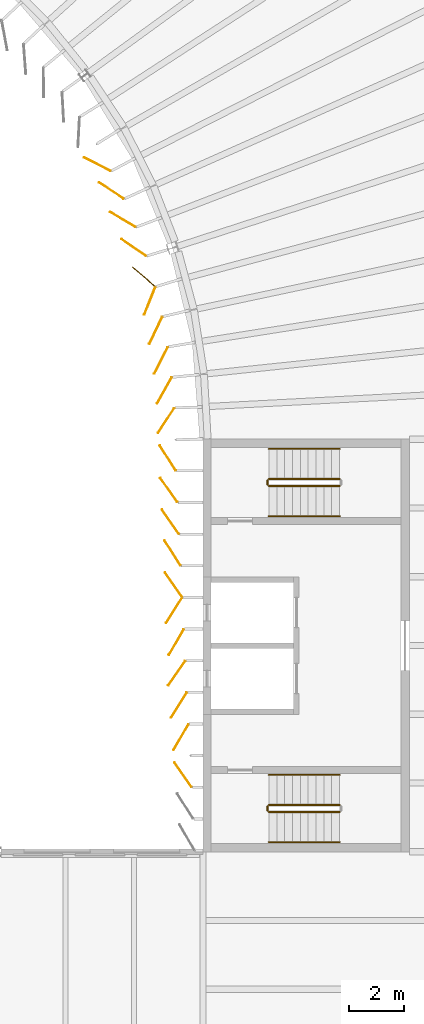
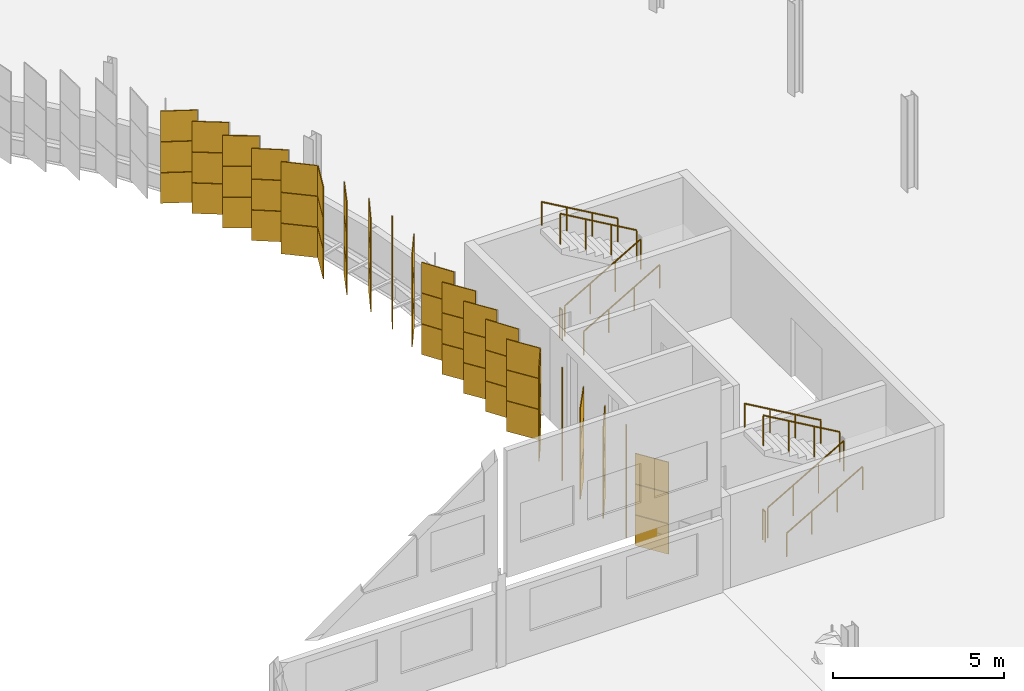
# One storey, part 191 of 199: 63 coverings, 10 railings.
"""IFC4 building model written with IfcOpenShell, lengths in metres."""

from ifc_helpers import new_model, si_unit, direction, frame, origin, origin_2d, place, context, subcontext, project, spatial, rectangle, circle, extrude, material, layer, layer_set, type_object, element, save


model = new_model("IFC4")

# Units and contexts
model_context = context("Model", 3, precision=1e-05, world=origin(), true_north=direction((0.0, 1.0)))
body_context = subcontext(model_context, "Body", "Model", "MODEL_VIEW")
ifc_project = project(units=[si_unit("LENGTHUNIT", "METRE"), si_unit("AREAUNIT", "SQUARE_METRE"), si_unit("VOLUMEUNIT", "CUBIC_METRE"), si_unit("PLANEANGLEUNIT", "RADIAN"), si_unit("MASSUNIT", "GRAM", prefix="KILO")], contexts=[model_context])

# Site, building, storey
site_placement = place(None, origin())
site = spatial("IfcSite", under=ifc_project, at=site_placement, CompositionType="ELEMENT")
building_placement = place(site_placement, origin())
building = spatial("IfcBuilding", under=site, at=building_placement, Name="Parallax Yard Mobility Hub", CompositionType="ELEMENT")
storey_placement = place(building_placement, frame((0.0, 0.0, 9.89990234375)))
storey = spatial("IfcBuildingStorey", under=building, at=storey_placement, Name="L03", CompositionType="ELEMENT", Elevation=9.89990234375)

# Coverings
ifc_material_1 = material(Name="Aluminium panel, champagne finish", Category="aluminium")
ifc_layer_1 = layer(ifc_material_1, 0.030029296875)
ifc_layer_set_1 = layer_set([ifc_layer_1], Name="Skin panel 30 degree turn, champagne finish")
covering_type_1 = type_object("IfcCoveringType", Name="Skin panel 30 degree turn, champagne finish", PredefinedType="CLADDING", material=ifc_layer_set_1)
for number, where, z_axis, x_axis, name in (
    (1, (194.029052734375, 82.61669921875, 0.02001953125), (0.0, 0.0, 1.0), (-0.5, -0.866025403784, 0.0), "Skin panel 30 bay 23.7 row 1 level L03"),
    (2, (194.20166015625, 79.166259765625, 0.02001953125), (0.0, 0.0, 1.0), (-0.5, -0.866025403784, 0.0), "Skin panel 30 bay 23.10 row 1 level L03"),
):
    element("IfcCovering", number, at=place(storey_placement, frame(where, z_axis=z_axis, x_axis=x_axis)), inside=storey, type_object=covering_type_1, Name=name, ObjectType="SCREEN", PredefinedType="CLADDING", context=body_context, shape_type="SweptSolid", body=[
        extrude(rectangle(XDim=1.080078125, YDim=0.030029296875, at=origin_2d()), origin(), (0.0, 0.0, 1.0), 1.080078125),
    ])
ifc_material_2 = material(Name="Aluminium panel, silver anodised", Category="aluminium")
ifc_layer_2 = layer(ifc_material_2, 0.030029296875)
ifc_layer_set_2 = layer_set([ifc_layer_2], Name="Skin panel 30 degree turn, silver anodised")
covering_type_2 = type_object("IfcCoveringType", Name="Skin panel 30 degree turn, silver anodised", PredefinedType="CLADDING", material=ifc_layer_set_2)
for number, where, z_axis, x_axis, name in (
    (3, (194.029052734375, 82.61669921875, 1.1201171875), (0.0, 0.0, 1.0), (-0.5, -0.866025403784, 0.0), "Skin panel 30 bay 23.7 row 2 level L03"),
    (4, (194.029052734375, 82.61669921875, 2.219970703125), (0.0, 0.0, 1.0), (-0.5, -0.866025403784, 0.0), "Skin panel 30 bay 23.7 row 3 level L03"),
    (5, (194.20166015625, 79.166259765625, 1.1201171875), (0.0, 0.0, 1.0), (-0.5, -0.866025403784, 0.0), "Skin panel 30 bay 23.10 row 2 level L03"),
    (6, (194.20166015625, 79.166259765625, 2.219970703125), (0.0, 0.0, 1.0), (-0.5, -0.866025403784, 0.0), "Skin panel 30 bay 23.10 row 3 level L03"),
):
    element("IfcCovering", number, at=place(storey_placement, frame(where, z_axis=z_axis, x_axis=x_axis)), inside=storey, type_object=covering_type_2, Name=name, ObjectType="SCREEN", PredefinedType="CLADDING", context=body_context, shape_type="SweptSolid", body=[
        extrude(rectangle(XDim=1.080078125, YDim=0.030029296875, at=origin_2d()), origin(), (0.0, 0.0, 1.0), 1.080078125),
    ])
ifc_layer_3 = layer(ifc_material_1, 0.030029296875)
ifc_layer_set_3 = layer_set([ifc_layer_3], Name="Skin panel 32.5 degree turn, champagne finish")
covering_type_3 = type_object("IfcCoveringType", Name="Skin panel 32.5 degree turn, champagne finish", PredefinedType="CLADDING", material=ifc_layer_set_3)
for number, where, z_axis, x_axis, name in (
    (7, (191.66650390625, 99.0400390625, 0.02001953125), (0.0, 0.0, 1.0), (-0.837480354951, 0.546467432763, 0.0), "Skin panel 32.5 bay 21.4 row 1 level L03"),
    (8, (192.851318359375, 95.905029296875, 0.02001953125), (0.0, 0.0, 1.0), (-0.758987281247, 0.651105449912, 0.0), "Skin panel 32.5 bay 22.1 row 1 level L03"),
    (9, (193.47314453125, 92.860595703125, 0.02001953125), (0.0, 0.0, 1.0), (-0.452045546177, -0.891994856589, 0.0), "Skin panel 32.5 bay 22.4 row 1 level L03"),
    (10, (193.720703125, 89.318603515625, 0.02001953125), (0.0, 0.0, 1.0), (-0.537299608347, 0.843391445813, 0.0), "Skin panel 32.5 bay 23.1 row 1 level L03"),
    (11, (193.893310546875, 85.8681640625, 0.02001953125), (0.0, 0.0, 1.0), (-0.537299608347, 0.843391445813, 0.0), "Skin panel 32.5 bay 23.4 row 1 level L03"),
    (12, (193.95068359375, 83.779541015625, 0.02001953125), (0.0, 0.0, 1.0), (-0.537299608347, -0.843391445813, 0.0), "Skin panel 32.5 bay 23.6 row 1 level L03"),
    (13, (194.123291015625, 80.328857421875, 0.02001953125), (0.0, 0.0, 1.0), (-0.537299608347, -0.843391445813, 0.0), "Skin panel 32.5 bay 23.9 row 1 level L03"),
):
    element("IfcCovering", number, at=place(storey_placement, frame(where, z_axis=z_axis, x_axis=x_axis)), inside=storey, type_object=covering_type_3, Name=name, ObjectType="SCREEN", PredefinedType="CLADDING", context=body_context, shape_type="SweptSolid", body=[
        extrude(rectangle(XDim=1.080078125, YDim=0.030029296875, at=origin_2d()), origin(), (0.0, 0.0, 1.0), 1.080078125),
    ])
ifc_layer_4 = layer(ifc_material_2, 0.030029296875)
ifc_layer_set_4 = layer_set([ifc_layer_4], Name="Skin panel 32.5 degree turn, silver anodised")
covering_type_4 = type_object("IfcCoveringType", Name="Skin panel 32.5 degree turn, silver anodised", PredefinedType="CLADDING", material=ifc_layer_set_4)
for number, where, z_axis, x_axis, name in (
    (14, (191.66650390625, 99.0400390625, 1.1201171875), (0.0, 0.0, 1.0), (-0.837480354951, 0.546467432763, 0.0), "Skin panel 32.5 bay 21.4 row 2 level L03"),
    (15, (191.66650390625, 99.0400390625, 2.219970703125), (0.0, 0.0, 1.0), (-0.837480354951, 0.546467432763, 0.0), "Skin panel 32.5 bay 21.4 row 3 level L03"),
    (16, (192.851318359375, 95.905029296875, 1.1201171875), (0.0, 0.0, 1.0), (-0.758987281247, 0.651105449912, 0.0), "Skin panel 32.5 bay 22.1 row 2 level L03"),
    (17, (192.851318359375, 95.905029296875, 2.219970703125), (0.0, 0.0, 1.0), (-0.758987281247, 0.651105449912, 0.0), "Skin panel 32.5 bay 22.1 row 3 level L03"),
    (18, (193.47314453125, 92.860595703125, 1.1201171875), (0.0, 0.0, 1.0), (-0.452045546177, -0.891994856589, 0.0), "Skin panel 32.5 bay 22.4 row 2 level L03"),
    (19, (193.47314453125, 92.860595703125, 2.219970703125), (0.0, 0.0, 1.0), (-0.452045546177, -0.891994856589, 0.0), "Skin panel 32.5 bay 22.4 row 3 level L03"),
    (20, (193.720703125, 89.318603515625, 1.1201171875), (0.0, 0.0, 1.0), (-0.537299608347, 0.843391445813, 0.0), "Skin panel 32.5 bay 23.1 row 2 level L03"),
    (21, (193.720703125, 89.318603515625, 2.219970703125), (0.0, 0.0, 1.0), (-0.537299608347, 0.843391445813, 0.0), "Skin panel 32.5 bay 23.1 row 3 level L03"),
    (22, (193.893310546875, 85.8681640625, 1.1201171875), (0.0, 0.0, 1.0), (-0.537299608347, 0.843391445813, 0.0), "Skin panel 32.5 bay 23.4 row 2 level L03"),
    (23, (193.893310546875, 85.8681640625, 2.219970703125), (0.0, 0.0, 1.0), (-0.537299608347, 0.843391445813, 0.0), "Skin panel 32.5 bay 23.4 row 3 level L03"),
    (24, (193.95068359375, 83.779541015625, 1.1201171875), (0.0, 0.0, 1.0), (-0.537299608347, -0.843391445813, 0.0), "Skin panel 32.5 bay 23.6 row 2 level L03"),
    (25, (193.95068359375, 83.779541015625, 2.219970703125), (0.0, 0.0, 1.0), (-0.537299608347, -0.843391445813, 0.0), "Skin panel 32.5 bay 23.6 row 3 level L03"),
    (26, (194.123291015625, 80.328857421875, 1.1201171875), (0.0, 0.0, 1.0), (-0.537299608347, -0.843391445813, 0.0), "Skin panel 32.5 bay 23.9 row 2 level L03"),
    (27, (194.123291015625, 80.328857421875, 2.219970703125), (0.0, 0.0, 1.0), (-0.537299608347, -0.843391445813, 0.0), "Skin panel 32.5 bay 23.9 row 3 level L03"),
):
    element("IfcCovering", number, at=place(storey_placement, frame(where, z_axis=z_axis, x_axis=x_axis)), inside=storey, type_object=covering_type_4, Name=name, ObjectType="SCREEN", PredefinedType="CLADDING", context=body_context, shape_type="SweptSolid", body=[
        extrude(rectangle(XDim=1.080078125, YDim=0.030029296875, at=origin_2d()), origin(), (0.0, 0.0, 1.0), 1.080078125),
    ])
ifc_layer_5 = layer(ifc_material_1, 0.030029296875)
ifc_layer_set_5 = layer_set([ifc_layer_5], Name="Skin panel 35 degree turn, champagne finish")
covering_type_5 = type_object("IfcCoveringType", Name="Skin panel 35 degree turn, champagne finish", PredefinedType="CLADDING", material=ifc_layer_set_5)
for number, where, z_axis, x_axis, name in (
    (28, (191.159912109375, 99.99658203125, 0.02001953125), (0.0, 0.0, 1.0), (-0.891994856589, 0.452045546177, 0.0), "Skin panel 35 bay 21.3 row 1 level L03"),
    (29, (192.080810546875, 97.98876953125, 0.02001953125), (0.0, 0.0, 1.0), (-0.860519833856, 0.509416936841, 0.0), "Skin panel 35 bay 21.5 row 1 level L03"),
    (30, (192.476806640625, 96.968994140625, 0.02001953125), (0.0, 0.0, 1.0), (-0.825359933085, 0.564606925974, 0.0), "Skin panel 35 bay 21.6 row 1 level L03"),
    (31, (193.066162109375, 95.0263671875, 0.02001953125), (0.0, 0.0, 1.0), (-0.372582902144, -0.927998912192, 0.0), "Skin panel 35 bay 22.2 row 1 level L03"),
    (32, (193.284912109375, 93.953369140625, 0.02001953125), (0.0, 0.0, 1.0), (-0.43247920633, -0.901643907589, 0.0), "Skin panel 35 bay 22.3 row 1 level L03"),
    (33, (193.597412109375, 91.765869140625, 0.02001953125), (0.0, 0.0, 1.0), (-0.490523568159, -0.87142792535, 0.0), "Skin panel 35 bay 22.5 row 1 level L03"),
    (34, (193.658203125, 90.672607421875, 0.02001953125), (0.0, 0.0, 1.0), (-0.546467432763, -0.837480354951, 0.0), "Skin panel 35 bay 22.6 row 1 level L03"),
    (35, (193.75830078125, 88.155029296875, 0.02001953125), (0.0, 0.0, 1.0), (-0.573576436351, 0.819152044289, 0.0), "Skin panel 35 bay 23.2 row 1 level L03"),
    (36, (193.815673828125, 87.0048828125, 0.02001953125), (0.0, 0.0, 1.0), (-0.573576436351, 0.819152044289, 0.0), "Skin panel 35 bay 23.3 row 1 level L03"),
    (37, (193.9306640625, 84.70458984375, 0.02001953125), (0.0, 0.0, 1.0), (-0.573576436351, 0.819152044289, 0.0), "Skin panel 35 bay 23.5 row 1 level L03"),
    (38, (194.045654296875, 81.49267578125, 0.02001953125), (0.0, 0.0, 1.0), (-0.573576436351, -0.819152044289, 0.0), "Skin panel 35 bay 23.8 row 1 level L03"),
    (39, (194.275634765625, 77.80322265625, 0.02001953125), (0.0, 0.0, 1.0), (-0.573576436351, 0.819152044289, 0.0), "Skin panel 35 bay 23.11 row 1 level L03"),
):
    element("IfcCovering", number, at=place(storey_placement, frame(where, z_axis=z_axis, x_axis=x_axis)), inside=storey, type_object=covering_type_5, Name=name, ObjectType="SCREEN", PredefinedType="CLADDING", context=body_context, shape_type="SweptSolid", body=[
        extrude(rectangle(XDim=1.080078125, YDim=0.030029296875, at=origin_2d()), origin(), (0.0, 0.0, 1.0), 1.080078125),
    ])
ifc_layer_6 = layer(ifc_material_2, 0.030029296875)
ifc_layer_set_6 = layer_set([ifc_layer_6], Name="Skin panel 35 degree turn, silver anodised")
covering_type_6 = type_object("IfcCoveringType", Name="Skin panel 35 degree turn, silver anodised", PredefinedType="CLADDING", material=ifc_layer_set_6)
for number, where, z_axis, x_axis, name in (
    (40, (191.159912109375, 99.99658203125, 1.1201171875), (0.0, 0.0, 1.0), (-0.891994856589, 0.452045546177, 0.0), "Skin panel 35 bay 21.3 row 2 level L03"),
    (41, (191.159912109375, 99.99658203125, 2.219970703125), (0.0, 0.0, 1.0), (-0.891994856589, 0.452045546177, 0.0), "Skin panel 35 bay 21.3 row 3 level L03"),
    (42, (192.080810546875, 97.98876953125, 1.1201171875), (0.0, 0.0, 1.0), (-0.860519833856, 0.509416936841, 0.0), "Skin panel 35 bay 21.5 row 2 level L03"),
    (43, (192.080810546875, 97.98876953125, 2.219970703125), (0.0, 0.0, 1.0), (-0.860519833856, 0.509416936841, 0.0), "Skin panel 35 bay 21.5 row 3 level L03"),
    (44, (192.476806640625, 96.968994140625, 1.1201171875), (0.0, 0.0, 1.0), (-0.825359933085, 0.564606925974, 0.0), "Skin panel 35 bay 21.6 row 2 level L03"),
    (45, (192.476806640625, 96.968994140625, 2.219970703125), (0.0, 0.0, 1.0), (-0.825359933085, 0.564606925974, 0.0), "Skin panel 35 bay 21.6 row 3 level L03"),
    (46, (193.066162109375, 95.0263671875, 1.1201171875), (0.0, 0.0, 1.0), (-0.372582902144, -0.927998912192, 0.0), "Skin panel 35 bay 22.2 row 2 level L03"),
    (47, (193.066162109375, 95.0263671875, 2.219970703125), (0.0, 0.0, 1.0), (-0.372582902144, -0.927998912192, 0.0), "Skin panel 35 bay 22.2 row 3 level L03"),
    (48, (193.284912109375, 93.953369140625, 1.1201171875), (0.0, 0.0, 1.0), (-0.43247920633, -0.901643907589, 0.0), "Skin panel 35 bay 22.3 row 2 level L03"),
    (49, (193.284912109375, 93.953369140625, 2.219970703125), (0.0, 0.0, 1.0), (-0.43247920633, -0.901643907589, 0.0), "Skin panel 35 bay 22.3 row 3 level L03"),
    (50, (193.597412109375, 91.765869140625, 1.1201171875), (0.0, 0.0, 1.0), (-0.490523568159, -0.87142792535, 0.0), "Skin panel 35 bay 22.5 row 2 level L03"),
    (51, (193.597412109375, 91.765869140625, 2.219970703125), (0.0, 0.0, 1.0), (-0.490523568159, -0.87142792535, 0.0), "Skin panel 35 bay 22.5 row 3 level L03"),
    (52, (193.658203125, 90.672607421875, 1.1201171875), (0.0, 0.0, 1.0), (-0.546467432763, -0.837480354951, 0.0), "Skin panel 35 bay 22.6 row 2 level L03"),
    (53, (193.658203125, 90.672607421875, 2.219970703125), (0.0, 0.0, 1.0), (-0.546467432763, -0.837480354951, 0.0), "Skin panel 35 bay 22.6 row 3 level L03"),
    (54, (193.75830078125, 88.155029296875, 1.1201171875), (0.0, 0.0, 1.0), (-0.573576436351, 0.819152044289, 0.0), "Skin panel 35 bay 23.2 row 2 level L03"),
    (55, (193.75830078125, 88.155029296875, 2.219970703125), (0.0, 0.0, 1.0), (-0.573576436351, 0.819152044289, 0.0), "Skin panel 35 bay 23.2 row 3 level L03"),
    (56, (193.815673828125, 87.0048828125, 1.1201171875), (0.0, 0.0, 1.0), (-0.573576436351, 0.819152044289, 0.0), "Skin panel 35 bay 23.3 row 2 level L03"),
    (57, (193.815673828125, 87.0048828125, 2.219970703125), (0.0, 0.0, 1.0), (-0.573576436351, 0.819152044289, 0.0), "Skin panel 35 bay 23.3 row 3 level L03"),
    (58, (193.9306640625, 84.70458984375, 1.1201171875), (0.0, 0.0, 1.0), (-0.573576436351, 0.819152044289, 0.0), "Skin panel 35 bay 23.5 row 2 level L03"),
    (59, (193.9306640625, 84.70458984375, 2.219970703125), (0.0, 0.0, 1.0), (-0.573576436351, 0.819152044289, 0.0), "Skin panel 35 bay 23.5 row 3 level L03"),
    (60, (194.045654296875, 81.49267578125, 1.1201171875), (0.0, 0.0, 1.0), (-0.573576436351, -0.819152044289, 0.0), "Skin panel 35 bay 23.8 row 2 level L03"),
    (61, (194.045654296875, 81.49267578125, 2.219970703125), (0.0, 0.0, 1.0), (-0.573576436351, -0.819152044289, 0.0), "Skin panel 35 bay 23.8 row 3 level L03"),
    (62, (194.275634765625, 77.80322265625, 1.1201171875), (0.0, 0.0, 1.0), (-0.573576436351, 0.819152044289, 0.0), "Skin panel 35 bay 23.11 row 2 level L03"),
    (63, (194.275634765625, 77.80322265625, 2.219970703125), (0.0, 0.0, 1.0), (-0.573576436351, 0.819152044289, 0.0), "Skin panel 35 bay 23.11 row 3 level L03"),
):
    element("IfcCovering", number, at=place(storey_placement, frame(where, z_axis=z_axis, x_axis=x_axis)), inside=storey, type_object=covering_type_6, Name=name, ObjectType="SCREEN", PredefinedType="CLADDING", context=body_context, shape_type="SweptSolid", body=[
        extrude(rectangle(XDim=1.080078125, YDim=0.030029296875, at=origin_2d()), origin(), (0.0, 0.0, 1.0), 1.080078125),
    ])

# Railings
ifc_material_3 = material(Name="Steel ASTM A36", Category="steel")
railing_type_1 = type_object("IfcRailingType", Name="Stair guard 1100", PredefinedType="GUARDRAIL", material=ifc_material_3)
railing_1_placement = place(storey_placement, frame((197.39990234375, 76.449951171875, 0.1650390625)))
element("IfcRailing", 64, at=railing_1_placement, inside=storey, type_object=railing_type_1, Name="L03 ST7 stair guard 1", PredefinedType="GUARDRAIL", context=body_context, shape_type="SweptSolid", body=[
    extrude(circle(Radius=0.02392578125, at=origin_2d()), frame((0.0, 0.0, 1.076171875), z_axis=(0.865426285481, 0.0, 0.501036270542), x_axis=(0.0, 1.0, 0.0)), (0.0, 0.0, 1.0), 2.964111328125),
    extrude(circle(Radius=0.02099609375, at=origin_2d()), origin(), (0.0, 0.0, 1.0), 1.052001953125),
    extrude(circle(Radius=0.02099609375, at=origin_2d()), frame((0.85498046875, 0.0, 0.4951171875)), (0.0, 0.0, 1.0), 1.052001953125),
    extrude(circle(Radius=0.02099609375, at=origin_2d()), frame((1.710205078125, 0.0, 0.989990234375)), (0.0, 0.0, 1.0), 1.052001953125),
    extrude(circle(Radius=0.02099609375, at=origin_2d()), frame((2.565185546875, 0.0, 1.485107421875)), (0.0, 0.0, 1.0), 1.052001953125),
])
railing_2_placement = place(storey_placement, frame((199.965087890625, 76.699951171875, 1.815185546875)))
element("IfcRailing", 65, at=railing_2_placement, inside=storey, type_object=railing_type_1, Name="L03 ST7 stair guard 3", PredefinedType="GUARDRAIL", context=body_context, shape_type="SweptSolid", body=[
    extrude(circle(Radius=0.02392578125, at=origin_2d()), frame((0.0, 0.0, 1.076171875), z_axis=(-0.865461999751, 0.0, 0.500974577186), x_axis=(0.0, -1.0, 0.0)), (0.0, 0.0, 1.0), 2.9638671875),
    extrude(circle(Radius=0.02099609375, at=origin_2d()), origin(), (0.0, 0.0, 1.0), 1.052001953125),
    extrude(circle(Radius=0.02099609375, at=origin_2d()), frame((-0.85498046875, 0.0, 0.494873046875)), (0.0, 0.0, 1.0), 1.052001953125),
    extrude(circle(Radius=0.02099609375, at=origin_2d()), frame((-1.710205078125, 0.0, 0.989990234375)), (0.0, 0.0, 1.0), 1.052001953125),
    extrude(circle(Radius=0.02099609375, at=origin_2d()), frame((-2.565185546875, 0.0, 1.48486328125)), (0.0, 0.0, 1.0), 1.052001953125),
])
railing_3_placement = place(storey_placement, frame((197.35009765625, 76.5, 0.0)))
element("IfcRailing", 66, at=railing_3_placement, inside=storey, type_object=railing_type_1, Name="L03 ST7 stair guard 4", PredefinedType="GUARDRAIL", context=body_context, shape_type="SweptSolid", body=[
    extrude(circle(Radius=0.02392578125, at=origin_2d()), frame((0.0, 0.0, 1.076171875), z_axis=(0.0, 1.0, 0.0), x_axis=(-1.0, 0.0, 0.0)), (0.0, 0.0, 1.0), 0.14990234375),
    extrude(circle(Radius=0.02099609375, at=origin_2d()), origin(), (0.0, 0.0, 1.0), 1.052001953125),
    extrude(circle(Radius=0.02099609375, at=origin_2d()), frame((0.0, 0.14990234375, 0.0)), (0.0, 0.0, 1.0), 1.052001953125),
])
railing_4_placement = place(storey_placement, frame((197.39990234375, 88.300048828125, 0.1650390625)))
element("IfcRailing", 67, at=railing_4_placement, inside=storey, type_object=railing_type_1, Name="L03 ST8 stair guard 1", PredefinedType="GUARDRAIL", context=body_context, shape_type="SweptSolid", body=[
    extrude(circle(Radius=0.02392578125, at=origin_2d()), frame((0.0, 0.0, 1.076171875), z_axis=(0.865426285481, 0.0, 0.501036270542), x_axis=(0.0, 1.0, 0.0)), (0.0, 0.0, 1.0), 2.964111328125),
    extrude(circle(Radius=0.02099609375, at=origin_2d()), origin(), (0.0, 0.0, 1.0), 1.052001953125),
    extrude(circle(Radius=0.02099609375, at=origin_2d()), frame((0.85498046875, 0.0, 0.4951171875)), (0.0, 0.0, 1.0), 1.052001953125),
    extrude(circle(Radius=0.02099609375, at=origin_2d()), frame((1.710205078125, 0.0, 0.989990234375)), (0.0, 0.0, 1.0), 1.052001953125),
    extrude(circle(Radius=0.02099609375, at=origin_2d()), frame((2.565185546875, 0.0, 1.485107421875)), (0.0, 0.0, 1.0), 1.052001953125),
])
railing_5_placement = place(storey_placement, frame((199.965087890625, 88.550048828125, 1.815185546875)))
element("IfcRailing", 68, at=railing_5_placement, inside=storey, type_object=railing_type_1, Name="L03 ST8 stair guard 3", PredefinedType="GUARDRAIL", context=body_context, shape_type="SweptSolid", body=[
    extrude(circle(Radius=0.02392578125, at=origin_2d()), frame((0.0, 0.0, 1.076171875), z_axis=(-0.865461999751, 0.0, 0.500974577186), x_axis=(0.0, -1.0, 0.0)), (0.0, 0.0, 1.0), 2.9638671875),
    extrude(circle(Radius=0.02099609375, at=origin_2d()), origin(), (0.0, 0.0, 1.0), 1.052001953125),
    extrude(circle(Radius=0.02099609375, at=origin_2d()), frame((-0.85498046875, 0.0, 0.494873046875)), (0.0, 0.0, 1.0), 1.052001953125),
    extrude(circle(Radius=0.02099609375, at=origin_2d()), frame((-1.710205078125, 0.0, 0.989990234375)), (0.0, 0.0, 1.0), 1.052001953125),
    extrude(circle(Radius=0.02099609375, at=origin_2d()), frame((-2.565185546875, 0.0, 1.48486328125)), (0.0, 0.0, 1.0), 1.052001953125),
])
railing_6_placement = place(storey_placement, frame((197.35009765625, 88.35009765625, 0.0)))
element("IfcRailing", 69, at=railing_6_placement, inside=storey, type_object=railing_type_1, Name="L03 ST8 stair guard 4", PredefinedType="GUARDRAIL", context=body_context, shape_type="SweptSolid", body=[
    extrude(circle(Radius=0.02392578125, at=origin_2d()), frame((0.0, 0.0, 1.076171875), z_axis=(0.0, 1.0, 0.0), x_axis=(-1.0, 0.0, 0.0)), (0.0, 0.0, 1.0), 0.14990234375),
    extrude(circle(Radius=0.02099609375, at=origin_2d()), origin(), (0.0, 0.0, 1.0), 1.052001953125),
    extrude(circle(Radius=0.02099609375, at=origin_2d()), frame((0.0, 0.14990234375, 0.0)), (0.0, 0.0, 1.0), 1.052001953125),
])
railing_type_2 = type_object("IfcRailingType", Name="Stair handrail", PredefinedType="HANDRAIL", material=ifc_material_3)
railing_7_placement = place(storey_placement, frame((197.39990234375, 75.35009765625, 0.1650390625)))
element("IfcRailing", 70, at=railing_7_placement, inside=storey, type_object=railing_type_2, Name="L03 ST7 stair handrail 1", PredefinedType="HANDRAIL", context=body_context, shape_type="SweptSolid", body=[
    extrude(circle(Radius=0.02392578125, at=origin_2d()), frame((0.0, 0.0, 0.8310546875), z_axis=(0.865426285481, 0.0, 0.501036270542), x_axis=(0.0, 1.0, 0.0)), (0.0, 0.0, 1.0), 2.964111328125),
    extrude(circle(Radius=0.02099609375, at=origin_2d()), origin(), (0.0, 0.0, 1.0), 0.806884765625),
    extrude(circle(Radius=0.02099609375, at=origin_2d()), frame((0.85498046875, 0.0, 0.4951171875)), (0.0, 0.0, 1.0), 0.806884765625),
    extrude(circle(Radius=0.02099609375, at=origin_2d()), frame((1.710205078125, 0.0, 0.989990234375)), (0.0, 0.0, 1.0), 0.806884765625),
    extrude(circle(Radius=0.02099609375, at=origin_2d()), frame((2.565185546875, 0.0, 1.485107421875)), (0.0, 0.0, 1.0), 0.806884765625),
])
railing_8_placement = place(storey_placement, frame((199.965087890625, 77.800048828125, 1.815185546875)))
element("IfcRailing", 71, at=railing_8_placement, inside=storey, type_object=railing_type_2, Name="L03 ST7 stair handrail 2", PredefinedType="HANDRAIL", context=body_context, shape_type="SweptSolid", body=[
    extrude(circle(Radius=0.02392578125, at=origin_2d()), frame((0.0, 0.0, 0.8310546875), z_axis=(-0.865461999751, 0.0, 0.500974577186), x_axis=(0.0, -1.0, 0.0)), (0.0, 0.0, 1.0), 2.9638671875),
    extrude(circle(Radius=0.02099609375, at=origin_2d()), origin(), (0.0, 0.0, 1.0), 0.806884765625),
    extrude(circle(Radius=0.02099609375, at=origin_2d()), frame((-0.85498046875, 0.0, 0.494873046875)), (0.0, 0.0, 1.0), 0.806884765625),
    extrude(circle(Radius=0.02099609375, at=origin_2d()), frame((-1.710205078125, 0.0, 0.989990234375)), (0.0, 0.0, 1.0), 0.806884765625),
    extrude(circle(Radius=0.02099609375, at=origin_2d()), frame((-2.565185546875, 0.0, 1.48486328125)), (0.0, 0.0, 1.0), 0.806884765625),
])
railing_9_placement = place(storey_placement, frame((197.39990234375, 87.199951171875, 0.1650390625)))
element("IfcRailing", 72, at=railing_9_placement, inside=storey, type_object=railing_type_2, Name="L03 ST8 stair handrail 1", PredefinedType="HANDRAIL", context=body_context, shape_type="SweptSolid", body=[
    extrude(circle(Radius=0.02392578125, at=origin_2d()), frame((0.0, 0.0, 0.8310546875), z_axis=(0.865426285481, 0.0, 0.501036270542), x_axis=(0.0, 1.0, 0.0)), (0.0, 0.0, 1.0), 2.964111328125),
    extrude(circle(Radius=0.02099609375, at=origin_2d()), origin(), (0.0, 0.0, 1.0), 0.806884765625),
    extrude(circle(Radius=0.02099609375, at=origin_2d()), frame((0.85498046875, 0.0, 0.4951171875)), (0.0, 0.0, 1.0), 0.806884765625),
    extrude(circle(Radius=0.02099609375, at=origin_2d()), frame((1.710205078125, 0.0, 0.989990234375)), (0.0, 0.0, 1.0), 0.806884765625),
    extrude(circle(Radius=0.02099609375, at=origin_2d()), frame((2.565185546875, 0.0, 1.485107421875)), (0.0, 0.0, 1.0), 0.806884765625),
])
railing_10_placement = place(storey_placement, frame((199.965087890625, 89.64990234375, 1.815185546875)))
element("IfcRailing", 73, at=railing_10_placement, inside=storey, type_object=railing_type_2, Name="L03 ST8 stair handrail 2", PredefinedType="HANDRAIL", context=body_context, shape_type="SweptSolid", body=[
    extrude(circle(Radius=0.02392578125, at=origin_2d()), frame((0.0, 0.0, 0.8310546875), z_axis=(-0.865461999751, 0.0, 0.500974577186), x_axis=(0.0, -1.0, 0.0)), (0.0, 0.0, 1.0), 2.9638671875),
    extrude(circle(Radius=0.02099609375, at=origin_2d()), origin(), (0.0, 0.0, 1.0), 0.806884765625),
    extrude(circle(Radius=0.02099609375, at=origin_2d()), frame((-0.85498046875, 0.0, 0.494873046875)), (0.0, 0.0, 1.0), 0.806884765625),
    extrude(circle(Radius=0.02099609375, at=origin_2d()), frame((-1.710205078125, 0.0, 0.989990234375)), (0.0, 0.0, 1.0), 0.806884765625),
    extrude(circle(Radius=0.02099609375, at=origin_2d()), frame((-2.565185546875, 0.0, 1.48486328125)), (0.0, 0.0, 1.0), 0.806884765625),
])

save(model, "model.ifc")
